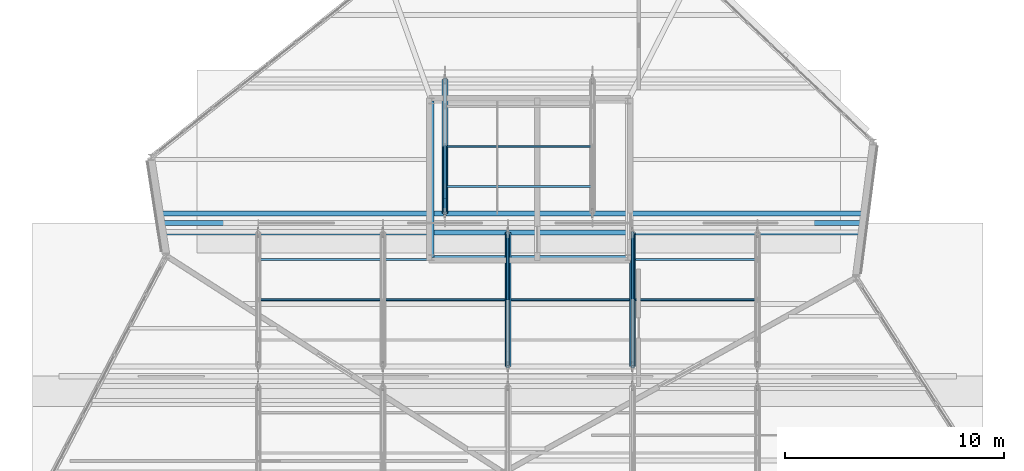
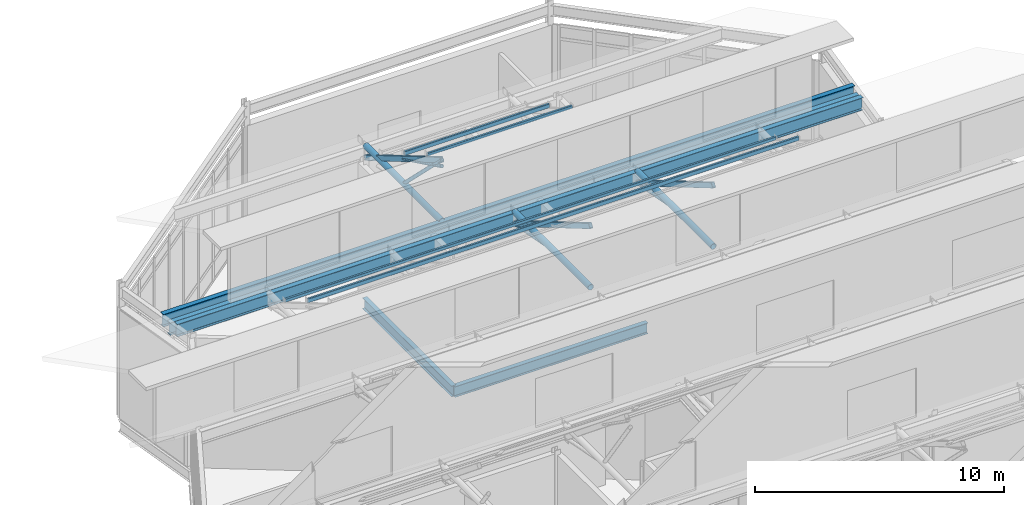
# One storey, part 33 of 55: 10 members, 9 beams.
"""IFC4 building model written with IfcOpenShell, lengths in metres."""

from ifc_helpers import new_model, si_unit, direction, frame, origin, origin_2d, place, context, subcontext, project, spatial, hollow_rectangle, hollow_circle, i_section, extrude, material, material_profile, profile_set, type_object, element, save


model = new_model("IFC4")

# Units and contexts
model_context = context("Model", 3, precision=1e-05, world=origin(), true_north=direction((0.0, 1.0)))
body_context = subcontext(model_context, "Body", "Model", "MODEL_VIEW")
ifc_project = project(units=[si_unit("LENGTHUNIT", "METRE"), si_unit("AREAUNIT", "SQUARE_METRE"), si_unit("VOLUMEUNIT", "CUBIC_METRE"), si_unit("PLANEANGLEUNIT", "RADIAN"), si_unit("MASSUNIT", "GRAM", prefix="KILO")], contexts=[model_context])

# Site, building, storey
site_placement = place(None, origin())
site = spatial("IfcSite", under=ifc_project, at=site_placement, CompositionType="ELEMENT")
building_placement = place(site_placement, origin())
building = spatial("IfcBuilding", under=site, at=building_placement, Name="Tameran Prism Museum", CompositionType="ELEMENT")
storey_placement = place(building_placement, frame((0.0, 0.0, 28.800048828125)))
storey = spatial("IfcBuildingStorey", under=building, at=storey_placement, Name="L05", CompositionType="ELEMENT", Elevation=28.800048828125)

# Beams
ifc_material_1 = material(Name="Steel Grade C350L0 (350 MPa)", Category="steel")
ifc_material_profile_1 = material_profile(ifc_material_1, hollow_rectangle(XDim=0.10009765625, YDim=0.14990234375, WallThickness=0.006103515625, InnerFilletRadius=0.009033203125, OuterFilletRadius=0.014892578125, at=origin_2d()))
ifc_profile_set_1 = profile_set([ifc_material_profile_1])
beam_type_1 = type_object("IfcBeamType", Name="BM-PUR150", PredefinedType="USERDEFINED", material=ifc_profile_set_1)
beam_1_placement = place(storey_placement, frame((107.60009765625, 98.8359375, 6.75390625), z_axis=(1.0, 0.0, 0.0), x_axis=(0.0, 1.0, 0.0)))
element("IfcBeam", 1, at=beam_1_placement, inside=storey, type_object=beam_type_1, Name="Sawtooth Purlin PR-021", ObjectType="PURLIN", PredefinedType="USERDEFINED", context=body_context, shape_type="SweptSolid", body=[
    extrude(hollow_rectangle(XDim=0.10009765625, YDim=0.14990234375, WallThickness=0.006103515625, InnerFilletRadius=0.009033203125, OuterFilletRadius=0.014892578125, at=origin_2d()), origin(), (0.0, 0.0, 1.0), 22.7998046875),
])
beam_2_placement = place(storey_placement, frame((116.133056640625, 102.1640625, 8.9140625), z_axis=(1.0, 0.0, 0.0), x_axis=(0.0, 1.0, 0.0)))
element("IfcBeam", 2, at=beam_2_placement, inside=storey, type_object=beam_type_1, Name="Sawtooth Purlin PR-025", ObjectType="PURLIN", PredefinedType="USERDEFINED", context=body_context, shape_type="SweptSolid", body=[
    extrude(hollow_rectangle(XDim=0.10009765625, YDim=0.14990234375, WallThickness=0.006103515625, InnerFilletRadius=0.009033203125, OuterFilletRadius=0.014892578125, at=origin_2d()), origin(), (0.0, 0.0, 1.0), 6.73388671875),
])
ifc_material_2 = material(Name="Steel Grade C350L0 (350 MPa)", Category="steel")
ifc_material_profile_2 = material_profile(ifc_material_2, hollow_rectangle(XDim=0.10009765625, YDim=0.199951171875, WallThickness=0.008056640625, InnerFilletRadius=0.011962890625, OuterFilletRadius=0.02001953125, at=origin_2d()))
ifc_profile_set_2 = profile_set([ifc_material_profile_2])
beam_type_2 = type_object("IfcBeamType", Name="BM-PUR200", PredefinedType="USERDEFINED", material=ifc_profile_set_2)
beam_3_placement = place(storey_placement, frame((107.60009765625, 97.0, 7.863037109375), z_axis=(1.0, 0.0, 0.0), x_axis=(0.0, 1.0, 0.0)))
element("IfcBeam", 3, at=beam_3_placement, inside=storey, type_object=beam_type_2, Name="Sawtooth Purlin PR-020", ObjectType="PURLIN", PredefinedType="USERDEFINED", context=body_context, shape_type="SweptSolid", body=[
    extrude(hollow_rectangle(XDim=0.10009765625, YDim=0.199951171875, WallThickness=0.008056640625, InnerFilletRadius=0.011962890625, OuterFilletRadius=0.02001953125, at=origin_2d()), origin(), (0.0, 0.0, 1.0), 22.7998046875),
])
beam_4_placement = place(storey_placement, frame((116.133056640625, 104.0, 7.863037109375), z_axis=(1.0, 0.0, 0.0), x_axis=(0.0, 1.0, 0.0)))
element("IfcBeam", 4, at=beam_4_placement, inside=storey, type_object=beam_type_2, Name="Sawtooth Purlin PR-026", ObjectType="PURLIN", PredefinedType="USERDEFINED", context=body_context, shape_type="SweptSolid", body=[
    extrude(hollow_rectangle(XDim=0.10009765625, YDim=0.199951171875, WallThickness=0.008056640625, InnerFilletRadius=0.011962890625, OuterFilletRadius=0.02001953125, at=origin_2d()), origin(), (0.0, 0.0, 1.0), 6.73388671875),
])
ifc_material_3 = material(Name="Steel Grade 300PLUS (300 MPa)", Category="steel")
ifc_material_profile_3 = material_profile(ifc_material_3, i_section(OverallWidth=0.208984375, OverallDepth=0.528076171875, WebThickness=0.009521484375, FlangeThickness=0.01318359375, FilletRadius=0.013916015625, at=origin_2d()))
ifc_profile_set_3 = profile_set([ifc_material_profile_3])
beam_type_3 = type_object("IfcBeamType", Name="BM-SP530B", PredefinedType="SPANDREL", material=ifc_profile_set_3)
beam_5_placement = place(storey_placement, frame((115.52001953125, 98.919921875, -0.504150390625), z_axis=(1.0, 0.0, 0.0), x_axis=(0.0, 1.0, 0.0)))
element("IfcBeam", 5, at=beam_5_placement, inside=storey, type_object=beam_type_3, Name="Core Ring Beam CTB-1279", PredefinedType="SPANDREL", context=body_context, shape_type="SweptSolid", body=[
    extrude(i_section(OverallWidth=0.208984375, OverallDepth=0.528076171875, WebThickness=0.009521484375, FlangeThickness=0.01318359375, FilletRadius=0.013916015625, at=origin_2d()), origin(), (0.0, 0.0, 1.0), 8.9599609375),
])
beam_6_placement = place(storey_placement, frame((115.52001953125, 106.080078125, -0.504150390625), z_axis=(0.0, -1.0, 0.0), x_axis=(1.0, 0.0, 0.0)))
element("IfcBeam", 6, at=beam_6_placement, inside=storey, type_object=beam_type_3, Name="Core Ring Beam CTB-1282", PredefinedType="SPANDREL", context=body_context, shape_type="SweptSolid", body=[
    extrude(i_section(OverallWidth=0.208984375, OverallDepth=0.528076171875, WebThickness=0.009521484375, FlangeThickness=0.01318359375, FilletRadius=0.013916015625, at=origin_2d()), origin(), (0.0, 0.0, 1.0), 7.16015625),
])
ifc_material_4 = material(Name="Steel Grade 300PLUS (300 MPa)", Category="steel")
ifc_material_profile_4 = material_profile(ifc_material_4, i_section(OverallWidth=0.22900390625, OverallDepth=0.612060546875, WebThickness=0.011962890625, FlangeThickness=0.01953125, FilletRadius=0.013916015625, at=origin_2d()))
ifc_profile_set_4 = profile_set([ifc_material_profile_4])
beam_type_4 = type_object("IfcBeamType", Name="BM-UB610A", PredefinedType="BEAM", material=ifc_profile_set_4)
beam_7_placement = place(storey_placement, frame((103.27587890625, 100.06005859375, 6.10595703125), z_axis=(1.0, 0.0, 0.0), x_axis=(0.0, 1.0, 0.0)))
element("IfcBeam", 7, at=beam_7_placement, inside=storey, type_object=beam_type_4, Name="Sawtooth Support Girder SRG-023", PredefinedType="BEAM", context=body_context, shape_type="SweptSolid", body=[
    extrude(i_section(OverallWidth=0.22900390625, OverallDepth=0.612060546875, WebThickness=0.011962890625, FlangeThickness=0.01953125, FilletRadius=0.013916015625, at=origin_2d()), origin(), (0.0, 0.0, 1.0), 31.84912109375),
])
beam_8_placement = place(storey_placement, frame((103.138916015625, 100.93994140625, 6.10595703125), z_axis=(1.0, 0.0, 0.0), x_axis=(0.0, 1.0, 0.0)))
element("IfcBeam", 8, at=beam_8_placement, inside=storey, type_object=beam_type_4, Name="Sawtooth Support Girder SRG-028", PredefinedType="BEAM", context=body_context, shape_type="SweptSolid", body=[
    extrude(i_section(OverallWidth=0.22900390625, OverallDepth=0.612060546875, WebThickness=0.011962890625, FlangeThickness=0.01953125, FilletRadius=0.013916015625, at=origin_2d()), origin(), (0.0, 0.0, 1.0), 32.10009765625),
])
beam_9_placement = place(storey_placement, frame((103.20703125, 100.5, 5.94384765625), z_axis=(1.0, 0.0, 0.0), x_axis=(0.0, 1.0, 0.0)))
element("IfcBeam", 9, at=beam_9_placement, inside=storey, type_object=beam_type_4, Name="Sawtooth Support Girder SRG-030", PredefinedType="BEAM", context=body_context, shape_type="SweptSolid", body=[
    extrude(i_section(OverallWidth=0.22900390625, OverallDepth=0.612060546875, WebThickness=0.011962890625, FlangeThickness=0.01953125, FilletRadius=0.013916015625, at=origin_2d()), origin(), (0.0, 0.0, 1.0), 31.974853515625),
])

# Members
ifc_material_5 = material(Name="Steel Grade C350L0 (350 MPa)", Category="steel")
ifc_material_profile_5 = material_profile(ifc_material_5, hollow_circle(Radius=0.084228515625, WallThickness=0.007080078125, at=origin_2d()))
ifc_profile_set_5 = profile_set([ifc_material_profile_5])
member_type_1 = type_object("IfcMemberType", Name="MM-BR-CHS168", PredefinedType="BRACE", material=ifc_profile_set_5)
for number, where, z_axis, x_axis, name in (
    (10, (119.0, 97.0, 6.385986328125), (0.0, 0.982674587879, -0.185339295177), (-1.0, 0.0, 0.0), "Sawtooth Brace STM-0132"),
    (11, (124.699951171875, 97.0, 6.385986328125), (0.0, 0.982674587879, -0.185339295177), (-1.0, 0.0, 0.0), "Sawtooth Brace STM-0139"),
):
    element("IfcMember", number, at=place(storey_placement, frame(where, z_axis=z_axis, x_axis=x_axis)), inside=storey, type_object=member_type_1, Name=name, PredefinedType="BRACE", context=body_context, shape_type="SweptSolid", body=[
        extrude(hollow_circle(Radius=0.084228515625, WallThickness=0.007080078125, at=origin_2d()), origin(), (0.0, 0.0, 1.0), 3.114013671875),
    ])
member_1_placement = place(storey_placement, frame((116.133056640625, 104.0, 6.385986328125), z_axis=(0.0, -0.711407246691, 0.70278000068), x_axis=(1.0, 0.0, 0.0)))
element("IfcMember", 12, at=member_1_placement, inside=storey, type_object=member_type_1, Name="Sawtooth Brace STM-0152", PredefinedType="BRACE", context=body_context, shape_type="SweptSolid", body=[
    extrude(hollow_circle(Radius=0.084228515625, WallThickness=0.007080078125, at=origin_2d()), origin(), (0.0, 0.0, 1.0), 4.301513671875),
])
ifc_material_6 = material(Name="Steel Grade C350L0 (350 MPa)", Category="steel")
ifc_material_profile_6 = material_profile(ifc_material_6, hollow_circle(Radius=0.136474609375, WallThickness=0.00927734375, at=origin_2d()))
ifc_profile_set_6 = profile_set([ifc_material_profile_6])
member_type_2 = type_object("IfcMemberType", Name="MM-CH-CHS273", PredefinedType="CHORD", material=ifc_profile_set_6)
for number, where, z_axis, x_axis, name in (
    (13, (119.0, 93.93994140625, 6.385986328125), (0.0, 1.0, 0.0), (-1.0, 0.0, 0.0), "Sawtooth Chord STM-0127"),
    (14, (124.699951171875, 93.93994140625, 6.385986328125), (0.0, 1.0, 0.0), (-1.0, 0.0, 0.0), "Sawtooth Chord STM-0134"),
    (15, (116.133056640625, 100.93994140625, 6.385986328125), (0.0, 1.0, 0.0), (-1.0, 0.0, 0.0), "Sawtooth Chord STM-0148"),
):
    element("IfcMember", number, at=place(storey_placement, frame(where, z_axis=z_axis, x_axis=x_axis)), inside=storey, type_object=member_type_2, Name=name, PredefinedType="CHORD", context=body_context, shape_type="SweptSolid", body=[
        extrude(hollow_circle(Radius=0.136474609375, WallThickness=0.00927734375, at=origin_2d()), origin(), (0.0, 0.0, 1.0), 6.1201171875),
    ])
ifc_material_7 = material(Name="Steel Grade C350L0 (350 MPa)", Category="steel")
ifc_material_profile_7 = material_profile(ifc_material_7, hollow_rectangle(XDim=0.14990234375, YDim=0.25, WallThickness=0.009033203125, InnerFilletRadius=0.013427734375, OuterFilletRadius=0.0224609375, at=origin_2d()))
ifc_profile_set_7 = profile_set([ifc_material_profile_7])
member_type_3 = type_object("IfcMemberType", Name="MM-RF-RHS250", PredefinedType="RAFTER", material=ifc_profile_set_7)
for number, where, z_axis, x_axis, name in (
    (16, (119.0, 93.93994140625, 9.408935546875), (0.0, 0.861932447349, -0.507023131826), (-1.0, 0.0, 0.0), "Sawtooth Rafter STM-0128"),
    (17, (124.699951171875, 93.93994140625, 9.408935546875), (0.0, 0.861932447349, -0.507023131826), (-1.0, 0.0, 0.0), "Sawtooth Rafter STM-0135"),
    (18, (116.133056640625, 100.93994140625, 9.408935546875), (0.0, 0.861932447349, -0.507023131826), (-1.0, 0.0, 0.0), "Sawtooth Rafter STM-0149"),
):
    element("IfcMember", number, at=place(storey_placement, frame(where, z_axis=z_axis, x_axis=x_axis)), inside=storey, type_object=member_type_3, Name=name, PredefinedType="RAFTER", context=body_context, shape_type="SweptSolid", body=[
        extrude(hollow_rectangle(XDim=0.14990234375, YDim=0.25, WallThickness=0.009033203125, InnerFilletRadius=0.013427734375, OuterFilletRadius=0.0224609375, at=origin_2d()), origin(), (0.0, 0.0, 1.0), 7.100341796875),
    ])
ifc_material_8 = material(Name="Steel Grade C350L0 (350 MPa)", Category="steel")
ifc_material_profile_8 = material_profile(ifc_material_8, hollow_circle(Radius=0.084228515625, WallThickness=0.007080078125, at=origin_2d()))
ifc_profile_set_8 = profile_set([ifc_material_profile_8])
member_type_4 = type_object("IfcMemberType", Name="MM-ST-CHS168", PredefinedType="STRUT", material=ifc_profile_set_8)
member_2_placement = place(storey_placement, frame((116.133056640625, 100.93994140625, 9.0888671875), z_axis=(0.0, 0.900239175025, -0.435395713978), x_axis=(-1.0, 0.0, 0.0)))
element("IfcMember", 19, at=member_2_placement, inside=storey, type_object=member_type_4, Name="Sawtooth Strut STM-0154", PredefinedType="STRUT", context=body_context, shape_type="SweptSolid", body=[
    extrude(hollow_circle(Radius=0.084228515625, WallThickness=0.007080078125, at=origin_2d()), origin(), (0.0, 0.0, 1.0), 3.399169921875),
])

save(model, "model.ifc")
